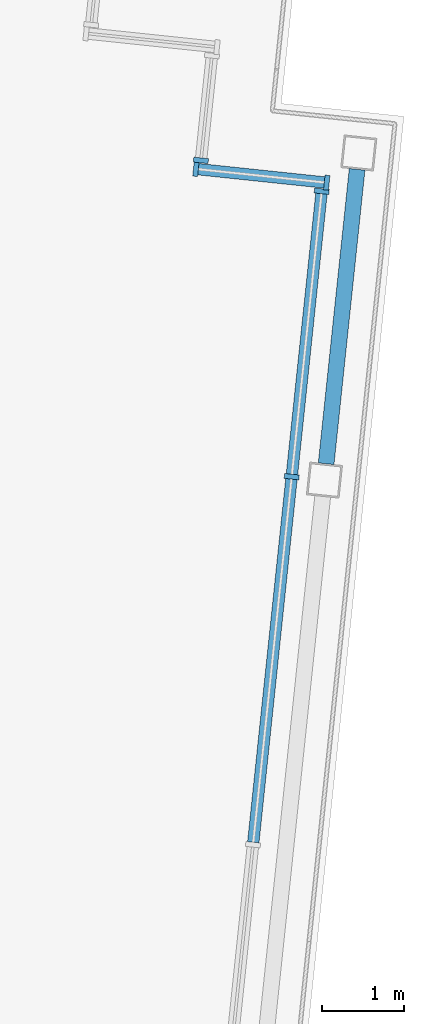
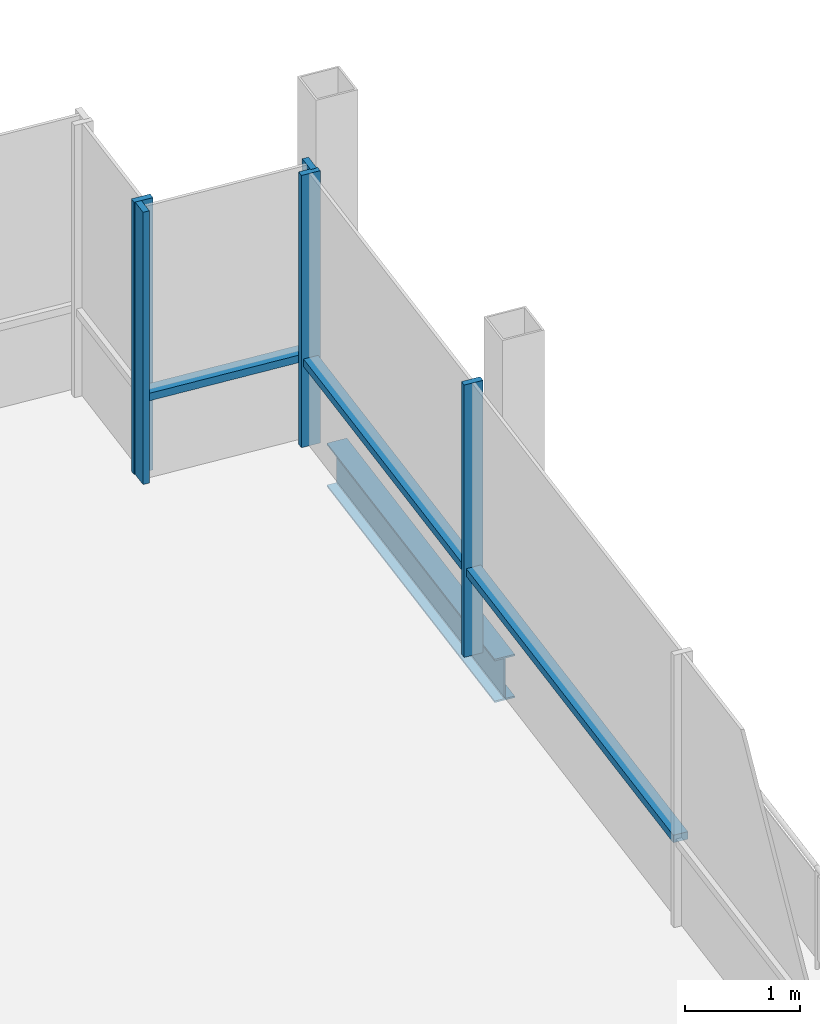
# One storey, part 6 of 15: 8 members, 1 beam, 3 elements without a shape of their own.
"""IFC4 building model written with IfcOpenShell, lengths in metres."""

from ifc_helpers import new_model, si_unit, direction, frame, origin, origin_2d, place, context, subcontext, project, spatial, rectangle, i_section, extrude, material, material_profile, profile_set, type_object, element, aggregate, save


model = new_model("IFC4")

# Units and contexts
model_context = context("Model", 3, precision=1e-05, world=origin(), true_north=direction((0.0, 1.0)))
body_context = subcontext(model_context, "Body", "Model", "MODEL_VIEW")
ifc_project = project(units=[si_unit("LENGTHUNIT", "METRE"), si_unit("AREAUNIT", "SQUARE_METRE"), si_unit("VOLUMEUNIT", "CUBIC_METRE"), si_unit("PLANEANGLEUNIT", "RADIAN"), si_unit("MASSUNIT", "GRAM", prefix="KILO")], contexts=[model_context])

# Site, building, storey
site_placement = place(None, origin())
site = spatial("IfcSite", under=ifc_project, at=site_placement, CompositionType="ELEMENT")
building_placement = place(site_placement, origin())
building = spatial("IfcBuilding", under=site, at=building_placement, Name="Vidyagriha Tower", CompositionType="ELEMENT")
storey_placement = place(building_placement, frame((0.0, 0.0, 298.300048828125)))
storey = spatial("IfcBuildingStorey", under=building, at=storey_placement, Name="L77", CompositionType="ELEMENT", Elevation=298.300048828125)

# Beam
ifc_material_1 = material(Name="Steel ASTM A992 Grade 50", Category="steel")
ifc_material_profile_1 = material_profile(ifc_material_1, i_section(OverallWidth=0.19189453125, OverallDepth=0.46240234375, WebThickness=0.010498046875, FlangeThickness=0.017578125, at=origin_2d()), Name="W18X60")
ifc_profile_set_1 = profile_set([ifc_material_profile_1], Name="Steel ASTM A992 Grade 50")
beam_type = type_object("IfcBeamType", Name="Edge beam W18X60", PredefinedType="SPANDREL", material=ifc_profile_set_1)
beam_placement = place(storey_placement, frame((32.429443359375, 9.623779296875, -0.51123046875), z_axis=(0.104571819597, 0.994517337479, 0.0), x_axis=(-0.994517337479, 0.104571819597, 0.0)))
element("IfcBeam", 1, at=beam_placement, inside=storey, type_object=beam_type, Name="st-beam-L77-E17", PredefinedType="SPANDREL", context=body_context, shape_type="SweptSolid", body=[
    extrude(i_section(OverallWidth=0.19189453125, OverallDepth=0.46240234375, WebThickness=0.010498046875, FlangeThickness=0.017578125, at=origin_2d()), origin(), (0.0, 0.0, 1.0), 3.60009765625),
])

# Curtain wall, members
ifc_material_2 = material(Name="Aluminium and glass curtain wall", Category="aluminium")
curtain_wall_type = type_object("IfcCurtainWallType", Name="Lantern glazing wall", PredefinedType="USERDEFINED", material=ifc_material_2)
curtain_wall_1_placement = place(storey_placement, origin())
curtain_wall_1 = element("IfcCurtainWall", 2, at=curtain_wall_1_placement, inside=storey, type_object=curtain_wall_type, Name="CW4 lantern glazing", ObjectType="STICK GLAZING", PredefinedType="USERDEFINED")
ifc_material_3 = material(Name="Aluminium black anodised", Category="aluminium")
ifc_material_profile_2 = material_profile(ifc_material_3, rectangle(XDim=0.179931640625, YDim=0.06005859375, at=origin_2d()), Name="Mullion 60x180 black aluminium")
ifc_profile_set_2 = profile_set([ifc_material_profile_2], Name="Aluminium black anodised")
member_type_1 = type_object("IfcMemberType", Name="Mullion 60x180 black aluminium", PredefinedType="MULLION", material=ifc_profile_set_2)
member_1_placement = place(storey_placement, frame((32.436767578125, 13.041748046875, 0.0), z_axis=(0.0, 0.0, 1.0), x_axis=(-0.104465258184, -0.99452853646, 0.0)))
member_1 = element("IfcMember", 3, at=member_1_placement, type_object=member_type_1, Name="CW4 mullion 1", PredefinedType="MULLION", context=body_context, shape_type="SweptSolid", body=[
    extrude(rectangle(XDim=0.179931640625, YDim=0.06005859375, at=origin_2d()), origin(), (0.0, 0.0, 1.0), 2.89990234375),
])
member_2_placement = place(storey_placement, frame((30.845703125, 13.208740234375, 0.0), z_axis=(0.0, 0.0, 1.0), x_axis=(-0.104465258184, -0.99452853646, 0.0)))
member_2 = element("IfcMember", 4, at=member_2_placement, type_object=member_type_1, Name="CW4 mullion 2", PredefinedType="MULLION", context=body_context, shape_type="SweptSolid", body=[
    extrude(rectangle(XDim=0.179931640625, YDim=0.06005859375, at=origin_2d()), origin(), (0.0, 0.0, 1.0), 2.89990234375),
])

# Curtain wall, member
curtain_wall_2_placement = place(storey_placement, origin())
curtain_wall_2 = element("IfcCurtainWall", 5, at=curtain_wall_2_placement, inside=storey, type_object=curtain_wall_type, Name="CW4 lantern glazing", ObjectType="STICK GLAZING", PredefinedType="USERDEFINED")
member_3_placement = place(storey_placement, frame((30.906982421875, 13.31298828125, 0.0), z_axis=(0.0, 0.0, 1.0), x_axis=(-0.994527511623, 0.104475014354, 0.0)))
member_3 = element("IfcMember", 6, at=member_3_placement, type_object=member_type_1, Name="CW4 mullion 1", PredefinedType="MULLION", context=body_context, shape_type="SweptSolid", body=[
    extrude(rectangle(XDim=0.179931640625, YDim=0.06005859375, at=origin_2d()), origin(), (0.0, 0.0, 1.0), 2.89990234375),
])
aggregate(curtain_wall_2, [member_3])

# Curtain wall, members
curtain_wall_3_placement = place(storey_placement, origin())
curtain_wall_3 = element("IfcCurtainWall", 7, at=curtain_wall_3_placement, inside=storey, type_object=curtain_wall_type, Name="CW4 lantern glazing", ObjectType="STICK GLAZING", PredefinedType="USERDEFINED")
member_4_placement = place(storey_placement, frame((32.0107421875, 9.466552734375, 0.0), z_axis=(0.0, 0.0, 1.0), x_axis=(-0.994522059728, 0.104526899479, 0.0)))
member_4 = element("IfcMember", 8, at=member_4_placement, type_object=member_type_1, Name="CW4 mullion 6", PredefinedType="MULLION", context=body_context, shape_type="SweptSolid", body=[
    extrude(rectangle(XDim=0.179931640625, YDim=0.06005859375, at=origin_2d()), origin(), (0.0, 0.0, 1.0), 2.89990234375),
])
member_5_placement = place(storey_placement, frame((32.37548828125, 12.9375, 0.0), z_axis=(0.0, 0.0, 1.0), x_axis=(-0.994522059728, 0.104526899479, 0.0)))
member_5 = element("IfcMember", 9, at=member_5_placement, type_object=member_type_1, Name="CW4 mullion 7", PredefinedType="MULLION", context=body_context, shape_type="SweptSolid", body=[
    extrude(rectangle(XDim=0.179931640625, YDim=0.06005859375, at=origin_2d()), origin(), (0.0, 0.0, 1.0), 2.89990234375),
])

# Member
ifc_material_4 = material(Name="Aluminium black anodised", Category="aluminium")
ifc_material_profile_3 = material_profile(ifc_material_4, rectangle(XDim=0.139892578125, YDim=0.080078125, at=origin_2d()), Name="Transom 80x140 black aluminium")
ifc_profile_set_3 = profile_set([ifc_material_profile_3], Name="Aluminium black anodised")
member_type_2 = type_object("IfcMemberType", Name="Transom 80x140 black aluminium", PredefinedType="USERDEFINED", material=ifc_profile_set_3)
member_6_placement = place(storey_placement, frame((32.406982421875, 13.044677734375, 0.89990234375), z_axis=(-0.994527149453, 0.104478461899, 0.0), x_axis=(-0.104478461899, -0.994527149453, 0.0)))
member_6 = element("IfcMember", 10, at=member_6_placement, type_object=member_type_2, Name="CW4 transom 1.1", ObjectType="TRANSOM", PredefinedType="USERDEFINED", context=body_context, shape_type="SweptSolid", body=[
    extrude(rectangle(XDim=0.139892578125, YDim=0.080078125, at=origin_2d()), origin(), (0.0, 0.0, 1.0), 1.5400390625),
])

aggregate(curtain_wall_1, [member_1, member_2, member_6])

member_7_placement = place(storey_placement, frame((31.54345703125, 5.02099609375, 0.89990234375), z_axis=(0.104527359082, 0.994522011422, 0.0), x_axis=(-0.994522011422, 0.104527359082, 0.0)))
member_7 = element("IfcMember", 11, at=member_7_placement, type_object=member_type_2, Name="CW4 transom 5.1", ObjectType="TRANSOM", PredefinedType="USERDEFINED", context=body_context, shape_type="SweptSolid", body=[
    extrude(rectangle(XDim=0.139892578125, YDim=0.080078125, at=origin_2d()), origin(), (0.0, 0.0, 1.0), 4.440185546875),
])

member_8_placement = place(storey_placement, frame((32.013916015625, 9.496337890625, 0.89990234375), z_axis=(0.104484712758, 0.994526492759, 0.0), x_axis=(-0.994526492759, 0.104484712758, 0.0)))
member_8 = element("IfcMember", 12, at=member_8_placement, type_object=member_type_2, Name="CW4 transom 6.1", ObjectType="TRANSOM", PredefinedType="USERDEFINED", context=body_context, shape_type="SweptSolid", body=[
    extrude(rectangle(XDim=0.139892578125, YDim=0.080078125, at=origin_2d()), origin(), (0.0, 0.0, 1.0), 3.43017578125),
])

aggregate(curtain_wall_3, [member_4, member_5, member_7, member_8])

save(model, "model.ifc")
